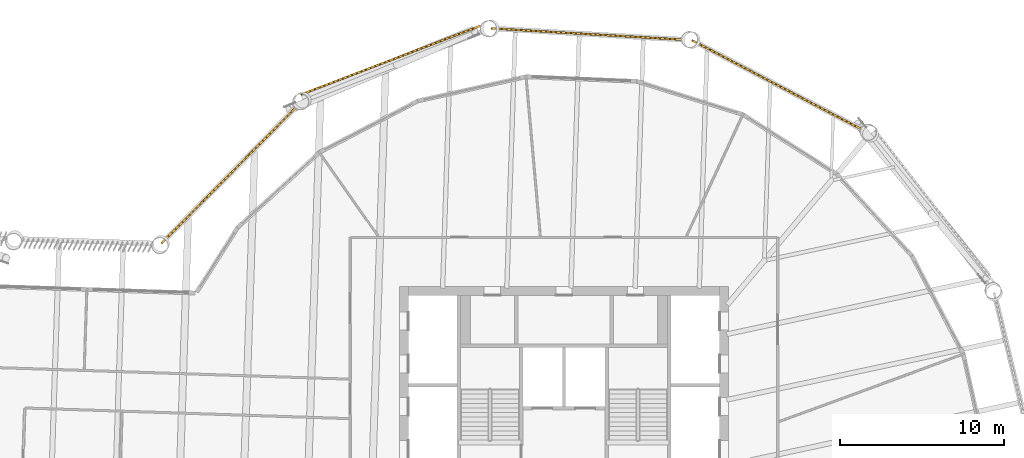
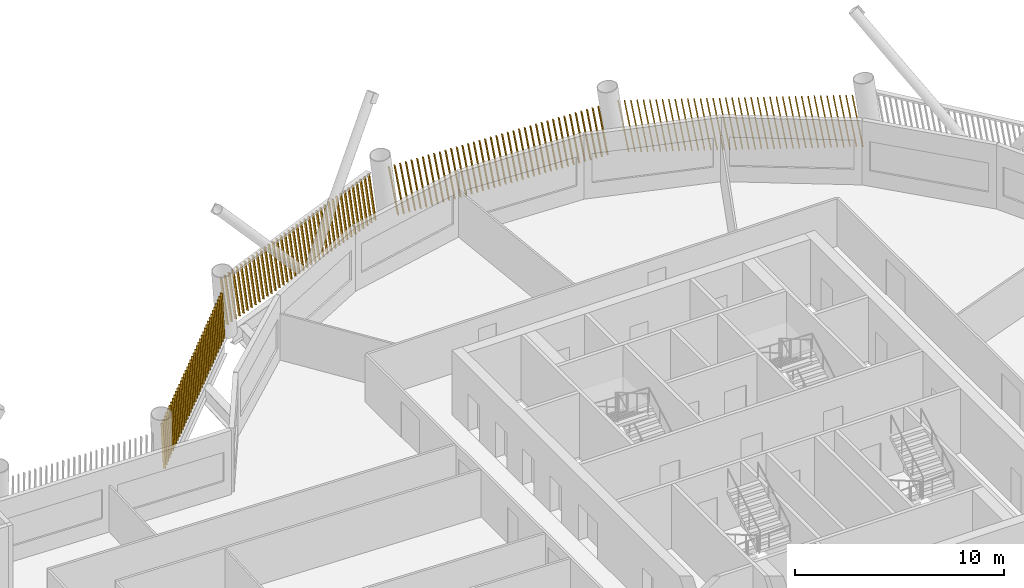
# One storey, part 20 of 21: 4 shading devices.
"""IFC4 building model written with IfcOpenShell, lengths in metres."""

from ifc_helpers import new_model, si_unit, direction, frame, frame_2d, origin, place, context, subcontext, project, spatial, rectangle, composite_profile, extrude, material, type_object, element, save


model = new_model("IFC4")

# Units and contexts
model_context = context("Model", 3, precision=1e-05, world=origin(), true_north=direction((0.0, 1.0)))
body_context = subcontext(model_context, "Body", "Model", "MODEL_VIEW")
ifc_project = project(units=[si_unit("LENGTHUNIT", "METRE"), si_unit("AREAUNIT", "SQUARE_METRE"), si_unit("VOLUMEUNIT", "CUBIC_METRE"), si_unit("PLANEANGLEUNIT", "RADIAN"), si_unit("MASSUNIT", "GRAM", prefix="KILO")], contexts=[model_context])

# Site, building, storey
site_placement = place(None, origin())
site = spatial("IfcSite", under=ifc_project, at=site_placement, CompositionType="ELEMENT")
building_placement = place(site_placement, origin())
building = spatial("IfcBuilding", under=site, at=building_placement, Name="Tarsis Ring Headquarters", CompositionType="ELEMENT")
storey_placement = place(building_placement, frame((0.0, 0.0, 278.60009765625)))
storey = spatial("IfcBuildingStorey", under=building, at=storey_placement, Name="L65", CompositionType="ELEMENT", Elevation=278.60009765625)

# Shading devices
ifc_material = material(Name="Terracotta baguette", Category="masonry")
shading_device_type = type_object("IfcShadingDeviceType", Name="Terracotta baguette screen", PredefinedType="USERDEFINED", material=ifc_material)
shading_device_1_placement = place(storey_placement, frame((18.1826171875, 22.52392578125, 0.0), z_axis=(0.0, 0.0, 1.0), x_axis=(-0.885317417254, 0.464981009224, 0.0)))
element("IfcShadingDevice", 1, at=shading_device_1_placement, inside=storey, type_object=shading_device_type, Name="Baguette screen L65-11", ObjectType="Terracotta baguette screen", PredefinedType="USERDEFINED", context=body_context, shape_type="SweptSolid", body=[
    extrude(composite_profile([rectangle(XDim=0.06005859375, YDim=0.1201171875, at=frame_2d((0.030029296875, 0.0))), rectangle(XDim=0.06005859375, YDim=0.1201171875, at=frame_2d((0.33251953125, 0.0))), rectangle(XDim=0.06005859375, YDim=0.1201171875, at=frame_2d((0.634765625, 0.0))), rectangle(XDim=0.06005859375, YDim=0.1201171875, at=frame_2d((0.937255859375, 0.0))), rectangle(XDim=0.06005859375, YDim=0.1201171875, at=frame_2d((1.239501953125, 0.0))), rectangle(XDim=0.06005859375, YDim=0.1201171875, at=frame_2d((1.5419921875, 0.0))), rectangle(XDim=0.06005859375, YDim=0.1201171875, at=frame_2d((1.844482421875, 0.0))), rectangle(XDim=0.06005859375, YDim=0.1201171875, at=frame_2d((2.146728515625, 0.0))), rectangle(XDim=0.06005859375, YDim=0.1201171875, at=frame_2d((2.44921875, 0.0))), rectangle(XDim=0.06005859375, YDim=0.1201171875, at=frame_2d((2.751708984375, 0.0))), rectangle(XDim=0.06005859375, YDim=0.1201171875, at=frame_2d((3.053955078125, 0.0))), rectangle(XDim=0.06005859375, YDim=0.1201171875, at=frame_2d((3.3564453125, 0.0))), rectangle(XDim=0.06005859375, YDim=0.1201171875, at=frame_2d((3.65869140625, 0.0))), rectangle(XDim=0.06005859375, YDim=0.1201171875, at=frame_2d((3.961181640625, 0.0))), rectangle(XDim=0.06005859375, YDim=0.1201171875, at=frame_2d((4.263671875, 0.0))), rectangle(XDim=0.06005859375, YDim=0.1201171875, at=frame_2d((4.56591796875, 0.0))), rectangle(XDim=0.06005859375, YDim=0.1201171875, at=frame_2d((4.868408203125, 0.0))), rectangle(XDim=0.06005859375, YDim=0.1201171875, at=frame_2d((5.1708984375, 0.0))), rectangle(XDim=0.06005859375, YDim=0.1201171875, at=frame_2d((5.47314453125, 0.0))), rectangle(XDim=0.06005859375, YDim=0.1201171875, at=frame_2d((5.775634765625, 0.0))), rectangle(XDim=0.06005859375, YDim=0.1201171875, at=frame_2d((6.077880859375, 0.0))), rectangle(XDim=0.06005859375, YDim=0.1201171875, at=frame_2d((6.38037109375, 0.0))), rectangle(XDim=0.06005859375, YDim=0.1201171875, at=frame_2d((6.682861328125, 0.0))), rectangle(XDim=0.06005859375, YDim=0.1201171875, at=frame_2d((6.985107421875, 0.0))), rectangle(XDim=0.06005859375, YDim=0.1201171875, at=frame_2d((7.28759765625, 0.0))), rectangle(XDim=0.06005859375, YDim=0.1201171875, at=frame_2d((7.590087890625, 0.0))), rectangle(XDim=0.06005859375, YDim=0.1201171875, at=frame_2d((7.892333984375, 0.0))), rectangle(XDim=0.06005859375, YDim=0.1201171875, at=frame_2d((8.19482421875, 0.0))), rectangle(XDim=0.06005859375, YDim=0.1201171875, at=frame_2d((8.4970703125, 0.0))), rectangle(XDim=0.06005859375, YDim=0.1201171875, at=frame_2d((8.799560546875, 0.0))), rectangle(XDim=0.06005859375, YDim=0.1201171875, at=frame_2d((9.10205078125, 0.0))), rectangle(XDim=0.06005859375, YDim=0.1201171875, at=frame_2d((9.404296875, 0.0))), rectangle(XDim=0.06005859375, YDim=0.1201171875, at=frame_2d((9.706787109375, 0.0))), rectangle(XDim=0.06005859375, YDim=0.1201171875, at=frame_2d((10.00927734375, 0.0))), rectangle(XDim=0.06005859375, YDim=0.1201171875, at=frame_2d((10.3115234375, 0.0))), rectangle(XDim=0.06005859375, YDim=0.1201171875, at=frame_2d((10.614013671875, 0.0))), rectangle(XDim=0.06005859375, YDim=0.1201171875, at=frame_2d((10.916259765625, 0.0))), rectangle(XDim=0.06005859375, YDim=0.1201171875, at=frame_2d((11.21875, 0.0)))]), origin(), (0.164703032054, 0.001438093193, 0.98634215317), 3.0087890625),
])
shading_device_2_placement = place(storey_placement, frame((7.281982421875, 28.016357421875, 0.0), z_axis=(0.0, 0.0, 1.0), x_axis=(-0.998285367018, 0.058709901463, 0.0)))
element("IfcShadingDevice", 2, at=shading_device_2_placement, inside=storey, type_object=shading_device_type, Name="Baguette screen L65-12", ObjectType="Terracotta baguette screen", PredefinedType="USERDEFINED", context=body_context, shape_type="SweptSolid", body=[
    extrude(composite_profile([rectangle(XDim=0.06005859375, YDim=0.1201171875, at=frame_2d((0.030029296875, 0.0))), rectangle(XDim=0.06005859375, YDim=0.1201171875, at=frame_2d((0.33251953125, 0.0))), rectangle(XDim=0.06005859375, YDim=0.1201171875, at=frame_2d((0.634765625, 0.0))), rectangle(XDim=0.06005859375, YDim=0.1201171875, at=frame_2d((0.937255859375, 0.0))), rectangle(XDim=0.06005859375, YDim=0.1201171875, at=frame_2d((1.239501953125, 0.0))), rectangle(XDim=0.06005859375, YDim=0.1201171875, at=frame_2d((1.5419921875, 0.0))), rectangle(XDim=0.06005859375, YDim=0.1201171875, at=frame_2d((1.844482421875, 0.0))), rectangle(XDim=0.06005859375, YDim=0.1201171875, at=frame_2d((2.146728515625, 0.0))), rectangle(XDim=0.06005859375, YDim=0.1201171875, at=frame_2d((2.44921875, 0.0))), rectangle(XDim=0.06005859375, YDim=0.1201171875, at=frame_2d((2.751708984375, 0.0))), rectangle(XDim=0.06005859375, YDim=0.1201171875, at=frame_2d((3.053955078125, 0.0))), rectangle(XDim=0.06005859375, YDim=0.1201171875, at=frame_2d((3.3564453125, 0.0))), rectangle(XDim=0.06005859375, YDim=0.1201171875, at=frame_2d((3.65869140625, 0.0))), rectangle(XDim=0.06005859375, YDim=0.1201171875, at=frame_2d((3.961181640625, 0.0))), rectangle(XDim=0.06005859375, YDim=0.1201171875, at=frame_2d((4.263671875, 0.0))), rectangle(XDim=0.06005859375, YDim=0.1201171875, at=frame_2d((4.56591796875, 0.0))), rectangle(XDim=0.06005859375, YDim=0.1201171875, at=frame_2d((4.868408203125, 0.0))), rectangle(XDim=0.06005859375, YDim=0.1201171875, at=frame_2d((5.1708984375, 0.0))), rectangle(XDim=0.06005859375, YDim=0.1201171875, at=frame_2d((5.47314453125, 0.0))), rectangle(XDim=0.06005859375, YDim=0.1201171875, at=frame_2d((5.775634765625, 0.0))), rectangle(XDim=0.06005859375, YDim=0.1201171875, at=frame_2d((6.077880859375, 0.0))), rectangle(XDim=0.06005859375, YDim=0.1201171875, at=frame_2d((6.38037109375, 0.0))), rectangle(XDim=0.06005859375, YDim=0.1201171875, at=frame_2d((6.682861328125, 0.0))), rectangle(XDim=0.06005859375, YDim=0.1201171875, at=frame_2d((6.985107421875, 0.0))), rectangle(XDim=0.06005859375, YDim=0.1201171875, at=frame_2d((7.28759765625, 0.0))), rectangle(XDim=0.06005859375, YDim=0.1201171875, at=frame_2d((7.590087890625, 0.0))), rectangle(XDim=0.06005859375, YDim=0.1201171875, at=frame_2d((7.892333984375, 0.0))), rectangle(XDim=0.06005859375, YDim=0.1201171875, at=frame_2d((8.19482421875, 0.0))), rectangle(XDim=0.06005859375, YDim=0.1201171875, at=frame_2d((8.4970703125, 0.0))), rectangle(XDim=0.06005859375, YDim=0.1201171875, at=frame_2d((8.799560546875, 0.0))), rectangle(XDim=0.06005859375, YDim=0.1201171875, at=frame_2d((9.10205078125, 0.0))), rectangle(XDim=0.06005859375, YDim=0.1201171875, at=frame_2d((9.404296875, 0.0))), rectangle(XDim=0.06005859375, YDim=0.1201171875, at=frame_2d((9.706787109375, 0.0))), rectangle(XDim=0.06005859375, YDim=0.1201171875, at=frame_2d((10.00927734375, 0.0))), rectangle(XDim=0.06005859375, YDim=0.1201171875, at=frame_2d((10.3115234375, 0.0))), rectangle(XDim=0.06005859375, YDim=0.1201171875, at=frame_2d((10.614013671875, 0.0))), rectangle(XDim=0.06005859375, YDim=0.1201171875, at=frame_2d((10.916259765625, 0.0))), rectangle(XDim=0.06005859375, YDim=0.1201171875, at=frame_2d((11.21875, 0.0)))]), origin(), (0.164705153108, 0.001435799206, 0.986341802328), 3.0087890625),
])
shading_device_3_placement = place(storey_placement, frame((-5.047607421875, 28.87744140625, 0.0), z_axis=(0.0, 0.0, 1.0), x_axis=(-0.933738469886, -0.357981551818, 0.0)))
element("IfcShadingDevice", 3, at=shading_device_3_placement, inside=storey, type_object=shading_device_type, Name="Baguette screen L65-13", ObjectType="Terracotta baguette screen", PredefinedType="USERDEFINED", context=body_context, shape_type="SweptSolid", body=[
    extrude(composite_profile([rectangle(XDim=0.06005859375, YDim=0.1201171875, at=frame_2d((0.030029296875, 0.0))), rectangle(XDim=0.06005859375, YDim=0.1201171875, at=frame_2d((0.33251953125, 0.0))), rectangle(XDim=0.06005859375, YDim=0.1201171875, at=frame_2d((0.634765625, 0.0))), rectangle(XDim=0.06005859375, YDim=0.1201171875, at=frame_2d((0.937255859375, 0.0))), rectangle(XDim=0.06005859375, YDim=0.1201171875, at=frame_2d((1.239501953125, 0.0))), rectangle(XDim=0.06005859375, YDim=0.1201171875, at=frame_2d((1.5419921875, 0.0))), rectangle(XDim=0.06005859375, YDim=0.1201171875, at=frame_2d((1.844482421875, 0.0))), rectangle(XDim=0.06005859375, YDim=0.1201171875, at=frame_2d((2.146728515625, 0.0))), rectangle(XDim=0.06005859375, YDim=0.1201171875, at=frame_2d((2.44921875, 0.0))), rectangle(XDim=0.06005859375, YDim=0.1201171875, at=frame_2d((2.751708984375, 0.0))), rectangle(XDim=0.06005859375, YDim=0.1201171875, at=frame_2d((3.053955078125, 0.0))), rectangle(XDim=0.06005859375, YDim=0.1201171875, at=frame_2d((3.3564453125, 0.0))), rectangle(XDim=0.06005859375, YDim=0.1201171875, at=frame_2d((3.65869140625, 0.0))), rectangle(XDim=0.06005859375, YDim=0.1201171875, at=frame_2d((3.961181640625, 0.0))), rectangle(XDim=0.06005859375, YDim=0.1201171875, at=frame_2d((4.263671875, 0.0))), rectangle(XDim=0.06005859375, YDim=0.1201171875, at=frame_2d((4.56591796875, 0.0))), rectangle(XDim=0.06005859375, YDim=0.1201171875, at=frame_2d((4.868408203125, 0.0))), rectangle(XDim=0.06005859375, YDim=0.1201171875, at=frame_2d((5.1708984375, 0.0))), rectangle(XDim=0.06005859375, YDim=0.1201171875, at=frame_2d((5.47314453125, 0.0))), rectangle(XDim=0.06005859375, YDim=0.1201171875, at=frame_2d((5.775634765625, 0.0))), rectangle(XDim=0.06005859375, YDim=0.1201171875, at=frame_2d((6.077880859375, 0.0))), rectangle(XDim=0.06005859375, YDim=0.1201171875, at=frame_2d((6.38037109375, 0.0))), rectangle(XDim=0.06005859375, YDim=0.1201171875, at=frame_2d((6.682861328125, 0.0))), rectangle(XDim=0.06005859375, YDim=0.1201171875, at=frame_2d((6.985107421875, 0.0))), rectangle(XDim=0.06005859375, YDim=0.1201171875, at=frame_2d((7.28759765625, 0.0))), rectangle(XDim=0.06005859375, YDim=0.1201171875, at=frame_2d((7.590087890625, 0.0))), rectangle(XDim=0.06005859375, YDim=0.1201171875, at=frame_2d((7.892333984375, 0.0))), rectangle(XDim=0.06005859375, YDim=0.1201171875, at=frame_2d((8.19482421875, 0.0))), rectangle(XDim=0.06005859375, YDim=0.1201171875, at=frame_2d((8.4970703125, 0.0))), rectangle(XDim=0.06005859375, YDim=0.1201171875, at=frame_2d((8.799560546875, 0.0))), rectangle(XDim=0.06005859375, YDim=0.1201171875, at=frame_2d((9.10205078125, 0.0))), rectangle(XDim=0.06005859375, YDim=0.1201171875, at=frame_2d((9.404296875, 0.0))), rectangle(XDim=0.06005859375, YDim=0.1201171875, at=frame_2d((9.706787109375, 0.0))), rectangle(XDim=0.06005859375, YDim=0.1201171875, at=frame_2d((10.00927734375, 0.0))), rectangle(XDim=0.06005859375, YDim=0.1201171875, at=frame_2d((10.3115234375, 0.0))), rectangle(XDim=0.06005859375, YDim=0.1201171875, at=frame_2d((10.614013671875, 0.0))), rectangle(XDim=0.06005859375, YDim=0.1201171875, at=frame_2d((10.916259765625, 0.0))), rectangle(XDim=0.06005859375, YDim=0.1201171875, at=frame_2d((11.21875, 0.0)))]), origin(), (0.16681978793, 0.001456217917, 0.985986327382), 3.010009765625),
])
shading_device_4_placement = place(storey_placement, frame((-16.235107421875, 23.9658203125, 0.0), z_axis=(0.0, 0.0, 1.0), x_axis=(-0.703164337182, -0.711020921955, 0.0)))
element("IfcShadingDevice", 4, at=shading_device_4_placement, inside=storey, type_object=shading_device_type, Name="Baguette screen L65-14", ObjectType="Terracotta baguette screen", PredefinedType="USERDEFINED", context=body_context, shape_type="SweptSolid", body=[
    extrude(composite_profile([rectangle(XDim=0.06005859375, YDim=0.1201171875, at=frame_2d((0.030029296875, 0.0))), rectangle(XDim=0.06005859375, YDim=0.1201171875, at=frame_2d((0.33251953125, 0.0))), rectangle(XDim=0.06005859375, YDim=0.1201171875, at=frame_2d((0.634765625, 0.0))), rectangle(XDim=0.06005859375, YDim=0.1201171875, at=frame_2d((0.937255859375, 0.0))), rectangle(XDim=0.06005859375, YDim=0.1201171875, at=frame_2d((1.239501953125, 0.0))), rectangle(XDim=0.06005859375, YDim=0.1201171875, at=frame_2d((1.5419921875, 0.0))), rectangle(XDim=0.06005859375, YDim=0.1201171875, at=frame_2d((1.844482421875, 0.0))), rectangle(XDim=0.06005859375, YDim=0.1201171875, at=frame_2d((2.146728515625, 0.0))), rectangle(XDim=0.06005859375, YDim=0.1201171875, at=frame_2d((2.44921875, 0.0))), rectangle(XDim=0.06005859375, YDim=0.1201171875, at=frame_2d((2.751708984375, 0.0))), rectangle(XDim=0.06005859375, YDim=0.1201171875, at=frame_2d((3.053955078125, 0.0))), rectangle(XDim=0.06005859375, YDim=0.1201171875, at=frame_2d((3.3564453125, 0.0))), rectangle(XDim=0.06005859375, YDim=0.1201171875, at=frame_2d((3.65869140625, 0.0))), rectangle(XDim=0.06005859375, YDim=0.1201171875, at=frame_2d((3.961181640625, 0.0))), rectangle(XDim=0.06005859375, YDim=0.1201171875, at=frame_2d((4.263671875, 0.0))), rectangle(XDim=0.06005859375, YDim=0.1201171875, at=frame_2d((4.56591796875, 0.0))), rectangle(XDim=0.06005859375, YDim=0.1201171875, at=frame_2d((4.868408203125, 0.0))), rectangle(XDim=0.06005859375, YDim=0.1201171875, at=frame_2d((5.1708984375, 0.0))), rectangle(XDim=0.06005859375, YDim=0.1201171875, at=frame_2d((5.47314453125, 0.0))), rectangle(XDim=0.06005859375, YDim=0.1201171875, at=frame_2d((5.775634765625, 0.0))), rectangle(XDim=0.06005859375, YDim=0.1201171875, at=frame_2d((6.077880859375, 0.0))), rectangle(XDim=0.06005859375, YDim=0.1201171875, at=frame_2d((6.38037109375, 0.0))), rectangle(XDim=0.06005859375, YDim=0.1201171875, at=frame_2d((6.682861328125, 0.0))), rectangle(XDim=0.06005859375, YDim=0.1201171875, at=frame_2d((6.985107421875, 0.0))), rectangle(XDim=0.06005859375, YDim=0.1201171875, at=frame_2d((7.28759765625, 0.0))), rectangle(XDim=0.06005859375, YDim=0.1201171875, at=frame_2d((7.590087890625, 0.0))), rectangle(XDim=0.06005859375, YDim=0.1201171875, at=frame_2d((7.892333984375, 0.0))), rectangle(XDim=0.06005859375, YDim=0.1201171875, at=frame_2d((8.19482421875, 0.0))), rectangle(XDim=0.06005859375, YDim=0.1201171875, at=frame_2d((8.4970703125, 0.0))), rectangle(XDim=0.06005859375, YDim=0.1201171875, at=frame_2d((8.799560546875, 0.0))), rectangle(XDim=0.06005859375, YDim=0.1201171875, at=frame_2d((9.10205078125, 0.0))), rectangle(XDim=0.06005859375, YDim=0.1201171875, at=frame_2d((9.404296875, 0.0))), rectangle(XDim=0.06005859375, YDim=0.1201171875, at=frame_2d((9.706787109375, 0.0))), rectangle(XDim=0.06005859375, YDim=0.1201171875, at=frame_2d((10.00927734375, 0.0))), rectangle(XDim=0.06005859375, YDim=0.1201171875, at=frame_2d((10.3115234375, 0.0))), rectangle(XDim=0.06005859375, YDim=0.1201171875, at=frame_2d((10.614013671875, 0.0))), rectangle(XDim=0.06005859375, YDim=0.1201171875, at=frame_2d((10.916259765625, 0.0))), rectangle(XDim=0.06005859375, YDim=0.1201171875, at=frame_2d((11.21875, 0.0)))]), origin(), (0.164702854393, 0.001438610566, 0.986342182082), 3.0087890625),
])

save(model, "model.ifc")
